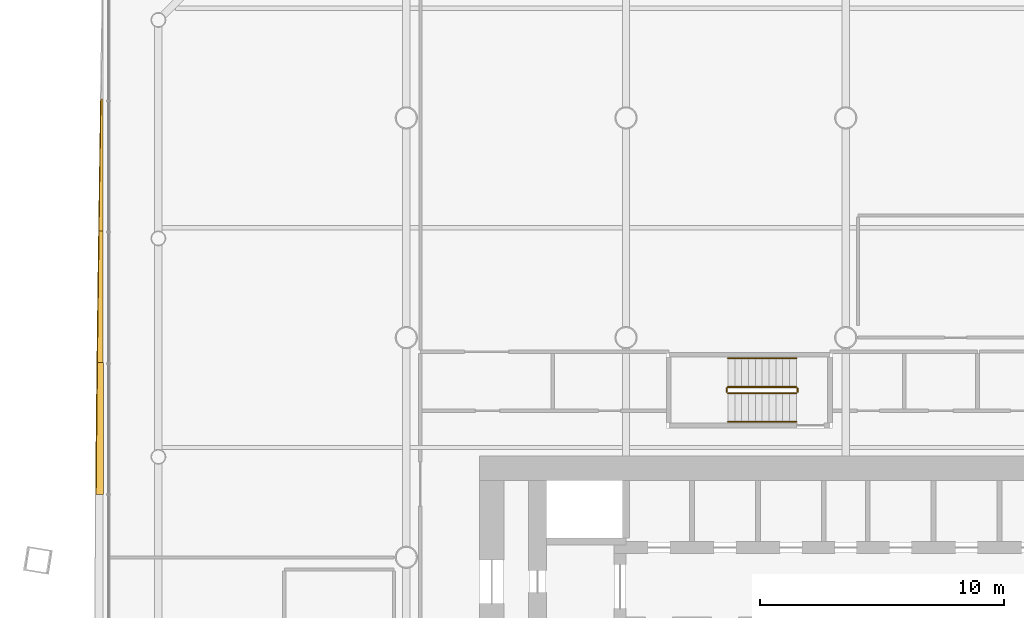
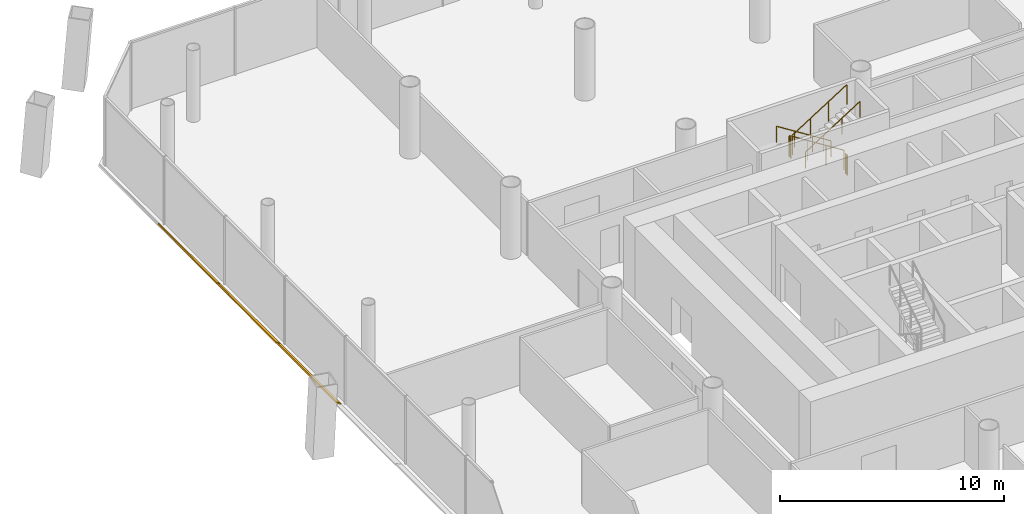
# One storey, part 21 of 22: 6 railings, 3 shading devices.
"""IFC4 building model written with IfcOpenShell, lengths in metres."""

import ifcopenshell
import ifcopenshell.guid

model = None  # the IFC model being written
_history = None  # IfcOwnerHistory: only IFC2X3 demands one
_inside = {}  # id of a spatial element -> (the spatial element, [elements in it])
_under = {}  # id of a project, library or spatial element -> (it, [spatial elements below it])
_declared = {}  # id of a project -> (the project, [libraries it declares])
_typed = {}  # id of a type object -> (the type object, [elements of that type])
_made_of = {}  # id of a material, layer set ... -> (it, [elements and type objects made of it])


def new_model(schema):
    """Start an empty IFC model of exactly this schema.

    Asked for "IFC4X3", IfcOpenShell would pick the latest addendum, in which some entities
    have other attributes; the version numbers below select the first issue.
    IFC2X3 requires an IfcOwnerHistory on every rooted entity: one is made here for all.
    """
    global model, _history
    if schema == "IFC4X3":
        model = ifcopenshell.file(schema_version=(4, 3, 0, 0))
    else:
        model = ifcopenshell.file(schema=schema)
    _inside.clear()
    _under.clear()
    _declared.clear()
    _typed.clear()
    _made_of.clear()
    _history = None
    if model.schema == "IFC2X3":
        org = make("IfcOrganization", Name="unknown")
        user = make(
            "IfcPersonAndOrganization",
            ThePerson=make("IfcPerson", FamilyName="unknown"),
            TheOrganization=org,
        )
        app = make(
            "IfcApplication",
            ApplicationDeveloper=org,
            Version="unknown",
            ApplicationFullName="unknown",
            ApplicationIdentifier="unknown",
        )
        _history = make(
            "IfcOwnerHistory",
            OwningUser=user,
            OwningApplication=app,
            ChangeAction="ADDED",
            CreationDate=0,
        )
    return model


def make(cls, **values):
    """One entity of the class cls with the attributes given. An attribute that is None is left unset."""
    return model.create_entity(
        cls, **{name: value for name, value in values.items() if value is not None}
    )


def rooted(cls, **values):
    """An entity with a GlobalId (a new one), such as an element, a storey or a relation."""
    return make(cls, GlobalId=ifcopenshell.guid.new(), OwnerHistory=_history, **values)


def si_unit(unit_type, name, prefix=None):
    """IfcSIUnit, for example si_unit("LENGTHUNIT", "METRE", prefix="MILLI")."""
    return make("IfcSIUnit", UnitType=unit_type, Prefix=prefix, Name=name)


def assignment(units):
    """IfcUnitAssignment: the units of a project."""
    return None if units is None else make("IfcUnitAssignment", Units=units)


def point(xyz):
    """IfcCartesianPoint."""
    return None if xyz is None else make("IfcCartesianPoint", Coordinates=xyz)


def direction(xyz):
    """IfcDirection."""
    return None if xyz is None else make("IfcDirection", DirectionRatios=xyz)


def frame(location, z_axis=None, x_axis=None):
    """IfcAxis2Placement3D, a coordinate frame: its origin and axes. An axis left out is left unset."""
    return make(
        "IfcAxis2Placement3D",
        Location=point(location),
        Axis=direction(z_axis),
        RefDirection=direction(x_axis),
    )


def frame_2d(location, x_axis=None):
    """IfcAxis2Placement2D, a coordinate frame in the plane: its origin and x axis."""
    return make(
        "IfcAxis2Placement2D", Location=point(location), RefDirection=direction(x_axis)
    )


def origin():
    """The frame at (0, 0, 0) with its axes left unset."""
    return frame((0.0, 0.0, 0.0))


def origin_2d():
    """The frame at (0, 0) in the plane with its x axis left unset."""
    return frame_2d((0.0, 0.0))


def place(relative_to, where):
    """IfcLocalPlacement: puts the frame where relative to a parent placement (None: the world)."""
    return make(
        "IfcLocalPlacement", PlacementRelTo=relative_to, RelativePlacement=where
    )


def context(
    kind, dimensions, precision=None, world=None, true_north=None, identifier=None
):
    """IfcGeometricRepresentationContext, for example the 3D "Model" context."""
    return make(
        "IfcGeometricRepresentationContext",
        ContextIdentifier=identifier,
        ContextType=kind,
        CoordinateSpaceDimension=dimensions,
        Precision=precision,
        WorldCoordinateSystem=world,
        TrueNorth=true_north,
    )


def subcontext(parent, identifier, kind, view, scale=None):
    """IfcGeometricRepresentationSubContext, for example "Body" below "Model"."""
    return make(
        "IfcGeometricRepresentationSubContext",
        ContextIdentifier=identifier,
        ContextType=kind,
        ParentContext=parent,
        TargetScale=scale,
        TargetView=view,
    )


def project(units=None, contexts=None):
    """IfcProject with its units and contexts."""
    return rooted(
        "IfcProject",
        Name="project",
        RepresentationContexts=contexts,
        UnitsInContext=assignment(units),
    )


def spatial(cls, under=None, at=None, **own):
    """A site, building, storey or space (cls), placed at a placement, below another one or the project."""
    s = rooted(cls, ObjectPlacement=at, **own)
    if under is not None:
        _under.setdefault(under.id(), (under, []))[1].append(s)
    return s


def polyline(points):
    """IfcPolyline through the points."""
    return make("IfcPolyline", Points=[point(p) for p in points])


def profile(cls, at=None, kind="AREA", **sizes):
    """A parametric profile (cls). Its sizes go by their IFC names, for example OverallWidth=200.0."""
    return make(cls, ProfileType=kind, Position=at, **sizes)


def circle(**sizes):
    """IfcCircleProfileDef."""
    return profile("IfcCircleProfileDef", **sizes)


def outline(outer, holes=None, kind="AREA"):
    """IfcArbitraryClosedProfileDef: a profile drawn as a closed curve; with holes, ...WithVoids."""
    if holes is None:
        return make("IfcArbitraryClosedProfileDef", ProfileType=kind, OuterCurve=outer)
    return make(
        "IfcArbitraryProfileDefWithVoids",
        ProfileType=kind,
        OuterCurve=outer,
        InnerCurves=holes,
    )


def extrude(swept, where, along, depth):
    """IfcExtrudedAreaSolid: the profile swept, set in the frame where, extruded along a direction by depth."""
    return make(
        "IfcExtrudedAreaSolid",
        SweptArea=swept,
        Position=where,
        ExtrudedDirection=direction(along),
        Depth=depth,
    )


def shape(context_of_items, identifier, shape_type, items):
    """IfcShapeRepresentation: the items that make up one representation, for example the "Body"."""
    return make(
        "IfcShapeRepresentation",
        ContextOfItems=context_of_items,
        RepresentationIdentifier=identifier,
        RepresentationType=shape_type,
        Items=items,
    )


def material(Name=None, Category=None):
    """IfcMaterial."""
    return make("IfcMaterial", Name=Name, Category=Category)


def layer(
    of_material, thickness, ventilated=None, Name=None, Category=None, Priority=None
):
    """IfcMaterialLayer: one layer of a wall or slab, of a material (None: an air gap)."""
    return make(
        "IfcMaterialLayer",
        Material=of_material,
        LayerThickness=thickness,
        IsVentilated=ventilated,
        Name=Name,
        Category=Category,
        Priority=Priority,
    )


def layer_set(layers, Name=None):
    """IfcMaterialLayerSet."""
    return make("IfcMaterialLayerSet", MaterialLayers=layers, LayerSetName=Name)


def made_of(thing, what):
    """Note that an element or type object is made of a material, layer set ...; save() writes the relation."""
    if what is not None:
        _made_of.setdefault(what.id(), (what, []))[1].append(thing)
    return thing


def type_object(cls, material=None, **own):
    """A type object (cls), such as IfcWallType, which elements share."""
    return made_of(rooted(cls, **own), material)


def element(
    cls,
    number,
    at=None,
    inside=None,
    cuts=None,
    type_object=None,
    material=None,
    context=None,
    identifier="Body",
    shape_type=None,
    held_by="IfcProductDefinitionShape",
    body=None,
    shapes=None,
    **own,
):
    """One element of the class cls, such as IfcWall. Its Tag is "e" and its number.

    at: its placement. inside: the storey or other place that contains it. cuts: it is an
    opening in that element (IfcRelVoidsElement). A single representation is given by context,
    identifier, shape_type and body (its items); several are given by shapes. held_by: the class
    of the entity that holds the representations. save() writes the other relations.
    """
    e = rooted(cls, Tag="e%d" % number, ObjectPlacement=at, **own)
    if body is not None:
        shapes = [shape(context, identifier, shape_type, body)]
    if shapes is not None:
        e.Representation = make(held_by, Representations=shapes)
    if inside is not None:
        _inside.setdefault(inside.id(), (inside, []))[1].append(e)
    if cuts is not None:
        rooted(
            "IfcRelVoidsElement", RelatingBuildingElement=cuts, RelatedOpeningElement=e
        )
    if type_object is not None:
        _typed.setdefault(type_object.id(), (type_object, []))[1].append(e)
    return made_of(e, material)


def aggregate(whole, parts):
    """IfcRelAggregates: a whole, such as a stair, and the parts it consists of."""
    return rooted("IfcRelAggregates", RelatingObject=whole, RelatedObjects=parts)


def save(model, path):
    """Write the relations noted so far, then the file.

    IfcRelAggregates (storeys below a building ...), IfcRelContainedInSpatialStructure (elements
    in a storey), IfcRelDefinesByType, IfcRelAssociatesMaterial and IfcRelDeclares: one each for
    every whole, place, type object, material and project.
    """
    for whole, parts in _under.values():
        aggregate(whole, parts)
    for where, things in _inside.values():
        rooted(
            "IfcRelContainedInSpatialStructure",
            RelatedElements=things,
            RelatingStructure=where,
        )
    for kind, things in _typed.values():
        rooted("IfcRelDefinesByType", RelatedObjects=things, RelatingType=kind)
    for what, things in _made_of.values():
        rooted("IfcRelAssociatesMaterial", RelatedObjects=things, RelatingMaterial=what)
    for by, libraries in _declared.values():
        rooted("IfcRelDeclares", RelatingContext=by, RelatedDefinitions=libraries)
    model.write(path)


model = new_model("IFC4")

# Units and contexts
model_context = context("Model", 3, precision=1e-05, world=origin(), true_north=direction((0.0, 1.0)))
body_context = subcontext(model_context, "Body", "Model", "MODEL_VIEW")
ifc_project = project(units=[si_unit("LENGTHUNIT", "METRE"), si_unit("AREAUNIT", "SQUARE_METRE"), si_unit("VOLUMEUNIT", "CUBIC_METRE"), si_unit("PLANEANGLEUNIT", "RADIAN"), si_unit("MASSUNIT", "GRAM", prefix="KILO")], contexts=[model_context])

# Site, building, storey
site_placement = place(None, origin())
site = spatial("IfcSite", under=ifc_project, at=site_placement, CompositionType="ELEMENT")
building_placement = place(site_placement, origin())
building = spatial("IfcBuilding", under=site, at=building_placement, Name="Tskaro Facet Tower", CompositionType="ELEMENT")
storey_placement = place(building_placement, frame((0.0, 0.0, 26.39990234375)))
storey = spatial("IfcBuildingStorey", under=building, at=storey_placement, Name="L05", CompositionType="ELEMENT", Elevation=26.39990234375)

# Shading devices
ifc_material_1 = material(Name="Bronze anodised aluminium 6063-T6", Category="aluminium")
ifc_layer = layer(ifc_material_1, 0.06005859375, Name="Bronze anodised aluminium 6063-T6")
ifc_layer_set = layer_set([ifc_layer], Name="Bronze anodised aluminium 6063-T6")
shading_device_type = type_object("IfcShadingDeviceType", Name="Bronze sun blade (FN1)", PredefinedType="USERDEFINED", material=ifc_layer_set)
shading_device_1_placement = place(storey_placement, frame((-30.422119140625, 18.772216796875, 0.052001953125), z_axis=(0.500763338518, 7.43955e-06, 0.865584241273), x_axis=(3.725454e-06, -0.999999999972, 6.439557e-06)))
element("IfcShadingDevice", 1, at=shading_device_1_placement, inside=storey, type_object=shading_device_type, Name="Fin blade west 2", ObjectType="FIN", PredefinedType="USERDEFINED", context=body_context, shape_type="SweptSolid", body=[
    extrude(outline(polyline([(0.0, 0.0), (5.397460937350634, 0.0), (5.397460937881433, -0.190991152359092), (4.722900390337328, -0.17993760201806852), (4.048095703077764, -0.16867272739938458), (3.3735351564431943, -0.15740785278070063), (2.6987304685210085, -0.14580939720990987), (2.023925780598822, -0.13421094163911917), (1.3493652342111637, -0.12240116179066796), (0.674560547198512, -0.1105913819422168), (1.482308373310811e-10, -0.09844802114165879), (0.0, 0.0)])), origin(), (0.0, 0.0, -1.0), 0.06005859375),
])
shading_device_2_placement = place(storey_placement, frame((-30.41748046875, 13.374755859375, 0.04931640625), z_axis=(0.573066881965, 5.991294e-06, 0.819508602004), x_axis=(3.433412e-06, -0.999999999982, 4.909917e-06)))
element("IfcShadingDevice", 2, at=shading_device_2_placement, inside=storey, type_object=shading_device_type, Name="Fin blade west 3", ObjectType="FIN", PredefinedType="USERDEFINED", context=body_context, shape_type="SweptSolid", body=[
    extrude(outline(polyline([(0.0, 0.0), (5.397705078028124, 0.0), (5.397705078260352, -0.2875112173539175), (4.7231445314888925, -0.27769082620351265), (4.048339843731962, -0.2675304508040857), (3.373535155975032, -0.2573700754046588), (2.6989746093208584, -0.2466696404139201), (2.024169922041689, -0.23596920542318134), (1.34960937502704, -0.22492878618342055), (0.6748046870269208, -0.21354838269463766), (-1.3496300288117496e-10, -0.20196790386356506), (0.0, 0.0)])), origin(), (0.0, 0.0, -1.0), 0.06005859375),
])
shading_device_3_placement = place(storey_placement, frame((-30.413330078125, 7.97705078125, 0.046142578125), z_axis=(0.642536138023, -4.283316e-06, 0.766255382569), x_axis=(-2.752185e-06, -0.999999999991, -3.282114e-06)))
element("IfcShadingDevice", 3, at=shading_device_3_placement, inside=storey, type_object=shading_device_type, Name="Fin blade west 4", ObjectType="FIN", PredefinedType="USERDEFINED", context=body_context, shape_type="SweptSolid", body=[
    extrude(outline(polyline([(0.0, 0.0), (5.397705078075485, 2.286017020366861e-21), (5.397705078378988, -0.38004853746148315), (4.7229003909144165, -0.3720774331003966), (4.048339843402922, -0.3639192546712983), (3.373535156197105, -0.3552602638255414), (2.698974608944365, -0.3464141989117726), (2.0241699219973017, -0.3370673215813453), (1.3493652343783185, -0.3275333701829062), (0.6748046875137099, -0.3176554755421318), (1.5348062964314134e-10, -0.3074336376590222), (0.0, 0.0)])), origin(), (0.0, 0.0, -1.0), 0.06005859375),
])

# Railings
ifc_material_2 = material(Name="Stainless steel", Category="steel")
railing_type_1 = type_object("IfcRailingType", Name="RL-GUARD-1100", PredefinedType="GUARDRAIL", material=ifc_material_2)
railing_1_placement = place(storey_placement, frame((-2.02490234375, 6.97509765625, 0.177490234375)))
element("IfcRailing", 4, at=railing_1_placement, inside=storey, type_object=railing_type_1, Name="L05 ST-3 stair guard 1", PredefinedType="GUARDRAIL", context=body_context, shape_type="SweptSolid", body=[
    extrude(circle(Radius=0.02392578125, at=origin_2d()), frame((0.0, 0.0, 1.076171875), z_axis=(-0.844908973607, 0.0, 0.534910110503), x_axis=(0.0, -1.0, 0.0)), (0.0, 0.0, 1.0), 3.31396484375),
    extrude(circle(Radius=0.02099609375, at=origin_2d()), origin(), (0.0, 0.0, 1.0), 1.052001953125),
    extrude(circle(Radius=0.02099609375, at=origin_2d()), frame((-0.933349609375, 0.0, 0.5908203125)), (0.0, 0.0, 1.0), 1.052001953125),
    extrude(circle(Radius=0.02099609375, at=origin_2d()), frame((-1.86669921875, 0.0, 1.181884765625)), (0.0, 0.0, 1.0), 1.052001953125),
    extrude(circle(Radius=0.02099609375, at=origin_2d()), frame((-2.800048828125, 0.0, 1.772705078125)), (0.0, 0.0, 1.0), 1.052001953125),
])
railing_2_placement = place(storey_placement, frame((-4.875, 6.925048828125, 1.9501953125)))
element("IfcRailing", 5, at=railing_2_placement, inside=storey, type_object=railing_type_1, Name="L05 ST-3 stair guard 2", PredefinedType="GUARDRAIL", context=body_context, shape_type="SweptSolid", body=[
    extrude(circle(Radius=0.02392578125, at=origin_2d()), frame((0.0, 0.0, 1.076171875), z_axis=(0.0, -1.0, 0.0), x_axis=(1.0, 0.0, 0.0)), (0.0, 0.0, 1.0), 0.150146484375),
    extrude(circle(Radius=0.02099609375, at=origin_2d()), origin(), (0.0, 0.0, 1.0), 1.052001953125),
    extrude(circle(Radius=0.02099609375, at=origin_2d()), frame((0.0, -0.150146484375, 0.0)), (0.0, 0.0, 1.0), 1.052001953125),
])
railing_3_placement = place(storey_placement, frame((-4.824951171875, 6.72509765625, 2.12744140625)))
element("IfcRailing", 6, at=railing_3_placement, inside=storey, type_object=railing_type_1, Name="L05 ST-3 stair guard 3", PredefinedType="GUARDRAIL", context=body_context, shape_type="SweptSolid", body=[
    extrude(circle(Radius=0.02392578125, at=origin_2d()), frame((0.0, 0.0, 1.076171875), z_axis=(0.844908973607, 0.0, 0.534910110503), x_axis=(0.0, 1.0, 0.0)), (0.0, 0.0, 1.0), 3.31396484375),
    extrude(circle(Radius=0.02099609375, at=origin_2d()), origin(), (0.0, 0.0, 1.0), 1.052001953125),
    extrude(circle(Radius=0.02099609375, at=origin_2d()), frame((0.933349609375, 0.0, 0.5908203125)), (0.0, 0.0, 1.0), 1.052001953125),
    extrude(circle(Radius=0.02099609375, at=origin_2d()), frame((1.86669921875, 0.0, 1.181884765625)), (0.0, 0.0, 1.0), 1.052001953125),
    extrude(circle(Radius=0.02099609375, at=origin_2d()), frame((2.800048828125, 0.0, 1.772705078125)), (0.0, 0.0, 1.0), 1.052001953125),
])
railing_4_placement = place(storey_placement, frame((-1.97509765625, 6.925048828125, 0.0)))
element("IfcRailing", 7, at=railing_4_placement, inside=storey, type_object=railing_type_1, Name="L05 ST-3 stair guard 4", PredefinedType="GUARDRAIL", context=body_context, shape_type="SweptSolid", body=[
    extrude(circle(Radius=0.02392578125, at=origin_2d()), frame((0.0, 0.0, 1.076171875), z_axis=(0.0, -1.0, 0.0), x_axis=(1.0, 0.0, 0.0)), (0.0, 0.0, 1.0), 0.150146484375),
    extrude(circle(Radius=0.02099609375, at=origin_2d()), origin(), (0.0, 0.0, 1.0), 1.052001953125),
    extrude(circle(Radius=0.02099609375, at=origin_2d()), frame((0.0, -0.150146484375, 0.0)), (0.0, 0.0, 1.0), 1.052001953125),
])
railing_type_2 = type_object("IfcRailingType", Name="RL-HANDRAIL-900", PredefinedType="HANDRAIL", material=ifc_material_2)
railing_5_placement = place(storey_placement, frame((-2.02490234375, 8.14990234375, 0.177490234375)))
element("IfcRailing", 8, at=railing_5_placement, inside=storey, type_object=railing_type_2, Name="L05 ST-3 stair handrail 1", PredefinedType="HANDRAIL", context=body_context, shape_type="SweptSolid", body=[
    extrude(circle(Radius=0.02392578125, at=origin_2d()), frame((0.0, 0.0, 0.8759765625), z_axis=(-0.844908973607, 0.0, 0.534910110503), x_axis=(0.0, -1.0, 0.0)), (0.0, 0.0, 1.0), 3.31396484375),
    extrude(circle(Radius=0.02099609375, at=origin_2d()), origin(), (0.0, 0.0, 1.0), 0.851806640625),
    extrude(circle(Radius=0.02099609375, at=origin_2d()), frame((-0.933349609375, 0.0, 0.5908203125)), (0.0, 0.0, 1.0), 0.851806640625),
    extrude(circle(Radius=0.02099609375, at=origin_2d()), frame((-1.86669921875, 0.0, 1.181884765625)), (0.0, 0.0, 1.0), 0.851806640625),
    extrude(circle(Radius=0.02099609375, at=origin_2d()), frame((-2.800048828125, 0.0, 1.772705078125)), (0.0, 0.0, 1.0), 0.851806640625),
])
railing_6_placement = place(storey_placement, frame((-4.824951171875, 5.550048828125, 2.12744140625)))
element("IfcRailing", 9, at=railing_6_placement, inside=storey, type_object=railing_type_2, Name="L05 ST-3 stair handrail 2", PredefinedType="HANDRAIL", context=body_context, shape_type="SweptSolid", body=[
    extrude(circle(Radius=0.02392578125, at=origin_2d()), frame((0.0, 0.0, 0.8759765625), z_axis=(0.844908973607, 0.0, 0.534910110503), x_axis=(0.0, 1.0, 0.0)), (0.0, 0.0, 1.0), 3.31396484375),
    extrude(circle(Radius=0.02099609375, at=origin_2d()), origin(), (0.0, 0.0, 1.0), 0.851806640625),
    extrude(circle(Radius=0.02099609375, at=origin_2d()), frame((0.933349609375, 0.0, 0.5908203125)), (0.0, 0.0, 1.0), 0.851806640625),
    extrude(circle(Radius=0.02099609375, at=origin_2d()), frame((1.86669921875, 0.0, 1.181884765625)), (0.0, 0.0, 1.0), 0.851806640625),
    extrude(circle(Radius=0.02099609375, at=origin_2d()), frame((2.800048828125, 0.0, 1.772705078125)), (0.0, 0.0, 1.0), 0.851806640625),
])

save(model, "model.ifc")
